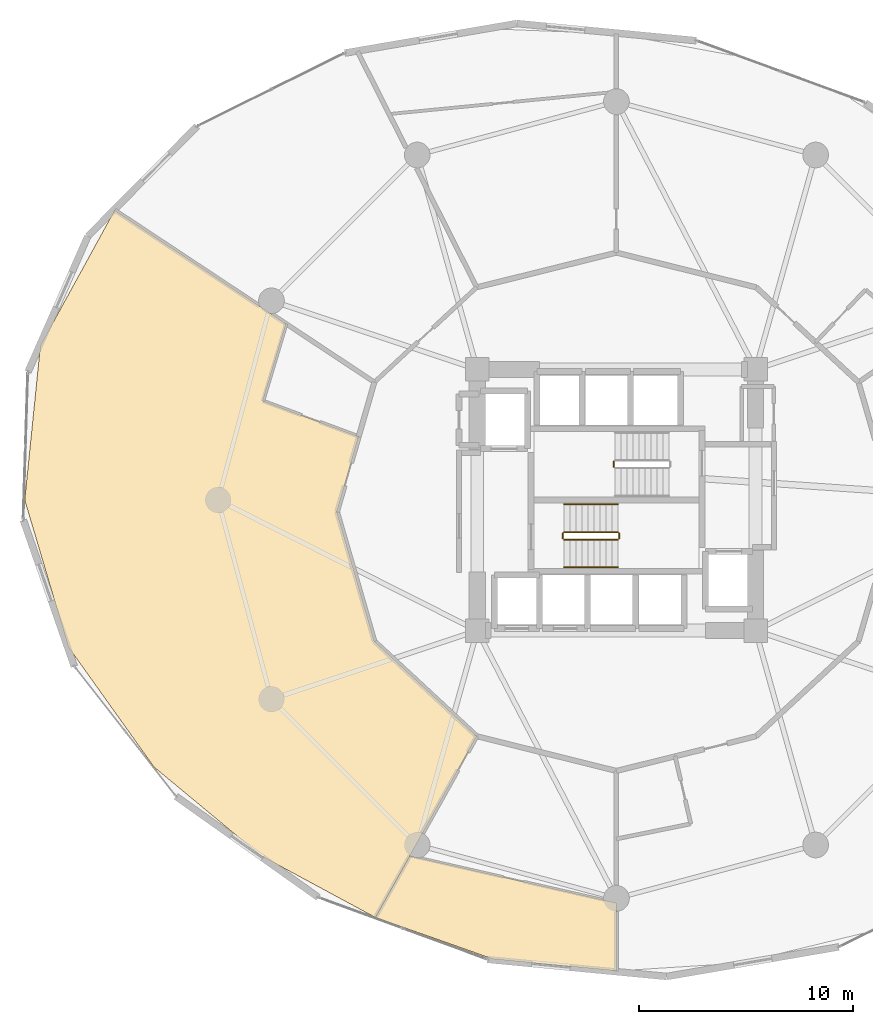
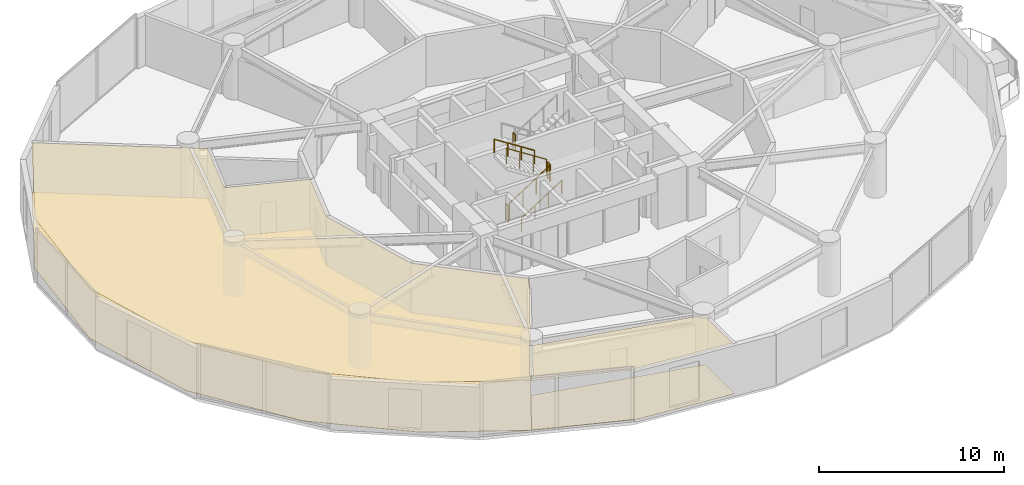
# One storey, part 20 of 22: 7 railings, 4 coverings.
"""IFC4 building model written with IfcOpenShell, lengths in metres."""

from ifc_helpers import new_model, si_unit, direction, frame, origin, origin_2d, place, context, subcontext, project, spatial, polyline, circle, outline, extrude, material, layer, layer_set, type_object, element, save


model = new_model("IFC4")

# Units and contexts
model_context = context("Model", 3, precision=1e-05, world=origin(), true_north=direction((0.0, 1.0)))
body_context = subcontext(model_context, "Body", "Model", "MODEL_VIEW")
ifc_project = project(units=[si_unit("LENGTHUNIT", "METRE"), si_unit("AREAUNIT", "SQUARE_METRE"), si_unit("VOLUMEUNIT", "CUBIC_METRE"), si_unit("PLANEANGLEUNIT", "RADIAN"), si_unit("MASSUNIT", "GRAM", prefix="KILO")], contexts=[model_context])

# Site, building, storey
site_placement = place(None, origin())
site = spatial("IfcSite", under=ifc_project, at=site_placement, CompositionType="ELEMENT")
building_placement = place(site_placement, origin())
building = spatial("IfcBuilding", under=site, at=building_placement, Name="Solvirekh Grand Hotel", CompositionType="ELEMENT")
storey_placement = place(building_placement, frame((0.0, 0.0, 53.60009765625)))
storey = spatial("IfcBuildingStorey", under=building, at=storey_placement, Name="L12", CompositionType="ELEMENT", Elevation=53.60009765625)

# Coverings
ifc_material_1 = material(Name="Acoustic Mineral Ceiling Tile")
ifc_layer_1 = layer(ifc_material_1, 0.02490234375)
ifc_layer_set_1 = layer_set([ifc_layer_1], Name="Acoustic Mineral Ceiling Tile")
covering_type_1 = type_object("IfcCoveringType", Name="Cov_Ceiling_Acoustic", PredefinedType="CEILING", material=ifc_layer_set_1)
covering_1_placement = place(storey_placement, frame((0.0, 0.0, 3.289794921875)))
element("IfcCovering", 1, at=covering_1_placement, inside=storey, type_object=covering_type_1, Name="L12 Presidential Suite 1401 Living Room acoustic ceiling", PredefinedType="CEILING", context=body_context, shape_type="SweptSolid", body=[
    extrude(outline(polyline([(-16.509033203125, 4.62109375), (-15.425048828125, 8.22900390625), (-23.428955078125, 13.527099609375), (-26.89599609375, 7.20703125), (-27.626953125, 0.0), (-25.592041015625, -6.85693359375), (-21.593017578125, -12.467041015625), (-16.60400390625, -16.60400390625), (-11.25390625, -19.491943359375), (-6.52490234375, -11.029052734375), (-11.302001953125, -6.60009765625), (-13.050048828125, -0.550048828125), (-12.035888671875, 2.958984375), (-16.509033203125, 4.62109375)])), origin(), (0.0, 0.0, 1.0), 0.01806640625),
])
covering_2_placement = place(storey_placement, frame((0.0, 0.0, 3.289794921875)))
element("IfcCovering", 2, at=covering_2_placement, inside=storey, type_object=covering_type_1, Name="L12 Presidential Suite 1401 Master Bedroom acoustic ceiling", PredefinedType="CEILING", context=body_context, shape_type="SweptSolid", body=[
    extrude(outline(polyline([(-11.25390625, -19.491943359375), (-5.7451171875, -21.43994140625), (0.0, -21.988037109375), (0.0, -18.81298828125), (-9.64599609375, -16.614990234375), (-11.25390625, -19.491943359375)])), origin(), (0.0, 0.0, 1.0), 0.01806640625),
])
ifc_material_2 = material(Name="Porcelain Stoneware Flooring", Category="masonry")
ifc_layer_2 = layer(ifc_material_2, 0.030029296875)
ifc_layer_set_2 = layer_set([ifc_layer_2], Name="Porcelain Stoneware Flooring")
covering_type_2 = type_object("IfcCoveringType", Name="Cov_Floor_Stone", PredefinedType="FLOORING", material=ifc_layer_set_2)
covering_3_placement = place(storey_placement, origin())
element("IfcCovering", 3, at=covering_3_placement, inside=storey, type_object=covering_type_2, Name="L12 Presidential Suite 1401 Living Room polished granite flooring", PredefinedType="FLOORING", context=body_context, shape_type="SweptSolid", body=[
    extrude(outline(polyline([(-16.509033203125, 4.62109375), (-15.425048828125, 8.22900390625), (-23.428955078125, 13.527099609375), (-26.89599609375, 7.20703125), (-27.626953125, 0.0), (-25.592041015625, -6.85693359375), (-21.593017578125, -12.467041015625), (-16.60400390625, -16.60400390625), (-11.25390625, -19.491943359375), (-6.52490234375, -11.029052734375), (-11.302001953125, -6.60009765625), (-13.050048828125, -0.550048828125), (-12.035888671875, 2.958984375), (-16.509033203125, 4.62109375)])), origin(), (0.0, 0.0, 1.0), 0.02001953125),
])
covering_4_placement = place(storey_placement, origin())
element("IfcCovering", 4, at=covering_4_placement, inside=storey, type_object=covering_type_2, Name="L12 Presidential Suite 1401 Master Bedroom polished granite flooring", PredefinedType="FLOORING", context=body_context, shape_type="SweptSolid", body=[
    extrude(outline(polyline([(-11.25390625, -19.491943359375), (-5.7451171875, -21.43994140625), (0.0, -21.988037109375), (0.0, -18.81298828125), (-9.64599609375, -16.614990234375), (-11.25390625, -19.491943359375)])), origin(), (0.0, 0.0, 1.0), 0.02001953125),
])

# Railings
ifc_material_3 = material(Name="Steel S355", Category="steel")
railing_type_1 = type_object("IfcRailingType", Name="Guard_Stair_1100", PredefinedType="GUARDRAIL", material=ifc_material_3)
railing_1_placement = place(storey_placement, frame((-2.449951171875, -1.85009765625, 0.179931640625)))
element("IfcRailing", 5, at=railing_1_placement, inside=storey, type_object=railing_type_1, Name="L12 ST-1 stair guard 1", PredefinedType="GUARDRAIL", context=body_context, shape_type="SweptSolid", body=[
    extrude(circle(Radius=0.02392578125, at=origin_2d()), frame((0.0, 0.0, 1.076171875), z_axis=(0.841199657755, 0.0, 0.540724639528), x_axis=(0.0, 1.0, 0.0)), (0.0, 0.0, 1.0), 2.995849609375),
    extrude(circle(Radius=0.02099609375, at=origin_2d()), origin(), (0.0, 0.0, 1.0), 1.052001953125),
    extrude(circle(Radius=0.02099609375, at=origin_2d()), frame((0.840087890625, 0.0, 0.5400390625)), (0.0, 0.0, 1.0), 1.052001953125),
    extrude(circle(Radius=0.02099609375, at=origin_2d()), frame((1.679931640625, 0.0, 1.079833984375)), (0.0, 0.0, 1.0), 1.052001953125),
    extrude(circle(Radius=0.02099609375, at=origin_2d()), frame((2.52001953125, 0.0, 1.619873046875)), (0.0, 0.0, 1.0), 1.052001953125),
])
railing_2_placement = place(storey_placement, frame((0.1201171875, -1.800048828125, 1.7998046875)))
element("IfcRailing", 6, at=railing_2_placement, inside=storey, type_object=railing_type_1, Name="L12 ST-1 stair guard 2", PredefinedType="GUARDRAIL", context=body_context, shape_type="SweptSolid", body=[
    extrude(circle(Radius=0.02392578125, at=origin_2d()), frame((0.0, 0.0, 1.076171875), z_axis=(0.0, 1.0, 0.0), x_axis=(-1.0, 0.0, 0.0)), (0.0, 0.0, 1.0), 0.25),
    extrude(circle(Radius=0.02099609375, at=origin_2d()), origin(), (0.0, 0.0, 1.0), 1.052001953125),
    extrude(circle(Radius=0.02099609375, at=origin_2d()), frame((0.0, 0.25, 0.0)), (0.0, 0.0, 1.0), 1.052001953125),
])
railing_3_placement = place(storey_placement, frame((0.070068359375, -1.5, 1.97998046875)))
element("IfcRailing", 7, at=railing_3_placement, inside=storey, type_object=railing_type_1, Name="L12 ST-1 stair guard 3", PredefinedType="GUARDRAIL", context=body_context, shape_type="SweptSolid", body=[
    extrude(circle(Radius=0.02392578125, at=origin_2d()), frame((0.0, 0.0, 1.076171875), z_axis=(-0.841199657755, 0.0, 0.540724639528), x_axis=(0.0, -1.0, 0.0)), (0.0, 0.0, 1.0), 2.995849609375),
    extrude(circle(Radius=0.02099609375, at=origin_2d()), origin(), (0.0, 0.0, 1.0), 1.052001953125),
    extrude(circle(Radius=0.02099609375, at=origin_2d()), frame((-0.840087890625, 0.0, 0.5400390625)), (0.0, 0.0, 1.0), 1.052001953125),
    extrude(circle(Radius=0.02099609375, at=origin_2d()), frame((-1.679931640625, 0.0, 1.079833984375)), (0.0, 0.0, 1.0), 1.052001953125),
    extrude(circle(Radius=0.02099609375, at=origin_2d()), frame((-2.52001953125, 0.0, 1.619873046875)), (0.0, 0.0, 1.0), 1.052001953125),
])
railing_4_placement = place(storey_placement, frame((-2.5, -1.800048828125, 0.0)))
element("IfcRailing", 8, at=railing_4_placement, inside=storey, type_object=railing_type_1, Name="L12 ST-1 stair guard 4", PredefinedType="GUARDRAIL", context=body_context, shape_type="SweptSolid", body=[
    extrude(circle(Radius=0.02392578125, at=origin_2d()), frame((0.0, 0.0, 1.076171875), z_axis=(0.0, 1.0, 0.0), x_axis=(-1.0, 0.0, 0.0)), (0.0, 0.0, 1.0), 0.25),
    extrude(circle(Radius=0.02099609375, at=origin_2d()), origin(), (0.0, 0.0, 1.0), 1.052001953125),
    extrude(circle(Radius=0.02099609375, at=origin_2d()), frame((0.0, 0.25, 0.0)), (0.0, 0.0, 1.0), 1.052001953125),
])
railing_5_placement = place(storey_placement, frame((-0.1201171875, 1.800048828125, 1.7998046875)))
element("IfcRailing", 9, at=railing_5_placement, inside=storey, type_object=railing_type_1, Name="L12 ST-2 stair guard 2", PredefinedType="GUARDRAIL", context=body_context, shape_type="SweptSolid", body=[
    extrude(circle(Radius=0.02392578125, at=origin_2d()), frame((0.0, 0.0, 1.076171875), z_axis=(0.0, -1.0, 0.0), x_axis=(1.0, 0.0, 0.0)), (0.0, 0.0, 1.0), 0.25),
    extrude(circle(Radius=0.02099609375, at=origin_2d()), origin(), (0.0, 0.0, 1.0), 1.052001953125),
    extrude(circle(Radius=0.02099609375, at=origin_2d()), frame((0.0, -0.25, 0.0)), (0.0, 0.0, 1.0), 1.052001953125),
])
ifc_material_4 = material(Name="Anodized Bronze Aluminium 6063-T6", Category="aluminium")
railing_type_2 = type_object("IfcRailingType", Name="Handrail_Wall_900", PredefinedType="HANDRAIL", material=ifc_material_4)
railing_6_placement = place(storey_placement, frame((-2.449951171875, -3.14990234375, 0.179931640625)))
element("IfcRailing", 10, at=railing_6_placement, inside=storey, type_object=railing_type_2, Name="L12 ST-1 stair handrail 1", PredefinedType="HANDRAIL", context=body_context, shape_type="SweptSolid", body=[
    extrude(circle(Radius=0.02392578125, at=origin_2d()), frame((0.0, 0.0, 0.8759765625), z_axis=(0.841199657755, 0.0, 0.540724639528), x_axis=(0.0, 1.0, 0.0)), (0.0, 0.0, 1.0), 2.995849609375),
    extrude(circle(Radius=0.02099609375, at=origin_2d()), origin(), (0.0, 0.0, 1.0), 0.851806640625),
    extrude(circle(Radius=0.02099609375, at=origin_2d()), frame((0.840087890625, 0.0, 0.5400390625)), (0.0, 0.0, 1.0), 0.851806640625),
    extrude(circle(Radius=0.02099609375, at=origin_2d()), frame((1.679931640625, 0.0, 1.079833984375)), (0.0, 0.0, 1.0), 0.851806640625),
    extrude(circle(Radius=0.02099609375, at=origin_2d()), frame((2.52001953125, 0.0, 1.619873046875)), (0.0, 0.0, 1.0), 0.851806640625),
])
railing_7_placement = place(storey_placement, frame((0.070068359375, -0.199951171875, 1.97998046875)))
element("IfcRailing", 11, at=railing_7_placement, inside=storey, type_object=railing_type_2, Name="L12 ST-1 stair handrail 2", PredefinedType="HANDRAIL", context=body_context, shape_type="SweptSolid", body=[
    extrude(circle(Radius=0.02392578125, at=origin_2d()), frame((0.0, 0.0, 0.8759765625), z_axis=(-0.841199657755, 0.0, 0.540724639528), x_axis=(0.0, -1.0, 0.0)), (0.0, 0.0, 1.0), 2.995849609375),
    extrude(circle(Radius=0.02099609375, at=origin_2d()), origin(), (0.0, 0.0, 1.0), 0.851806640625),
    extrude(circle(Radius=0.02099609375, at=origin_2d()), frame((-0.840087890625, 0.0, 0.5400390625)), (0.0, 0.0, 1.0), 0.851806640625),
    extrude(circle(Radius=0.02099609375, at=origin_2d()), frame((-1.679931640625, 0.0, 1.079833984375)), (0.0, 0.0, 1.0), 0.851806640625),
    extrude(circle(Radius=0.02099609375, at=origin_2d()), frame((-2.52001953125, 0.0, 1.619873046875)), (0.0, 0.0, 1.0), 0.851806640625),
])

save(model, "model.ifc")
